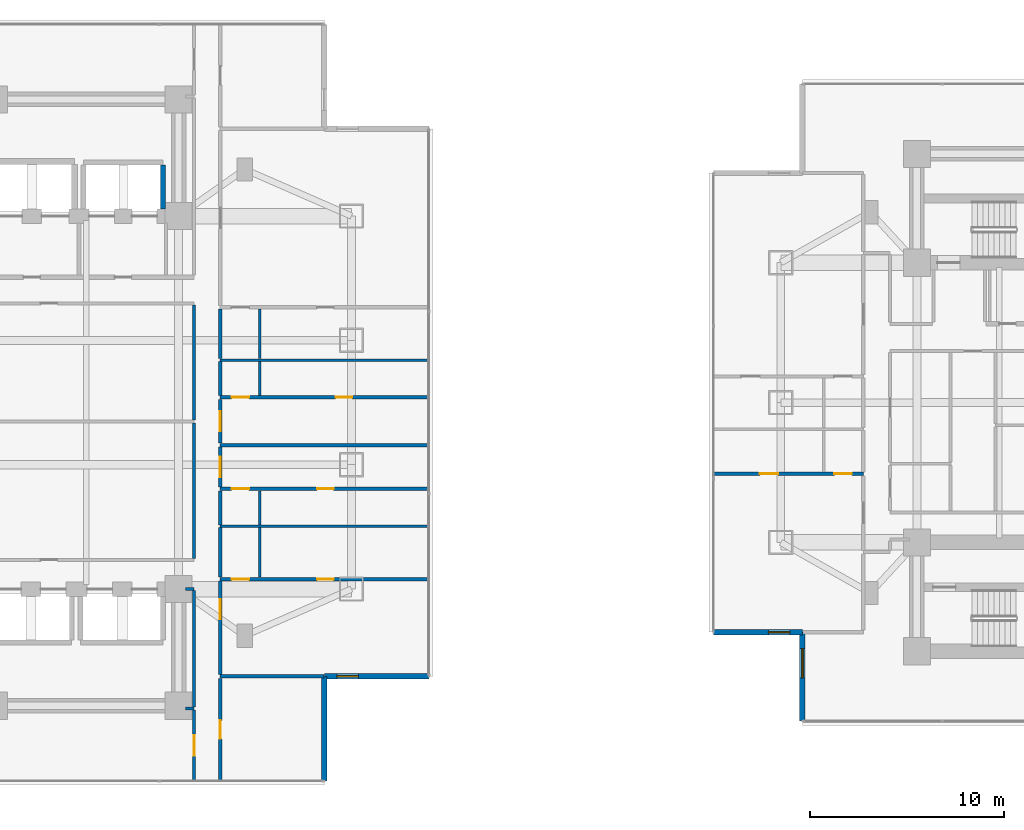
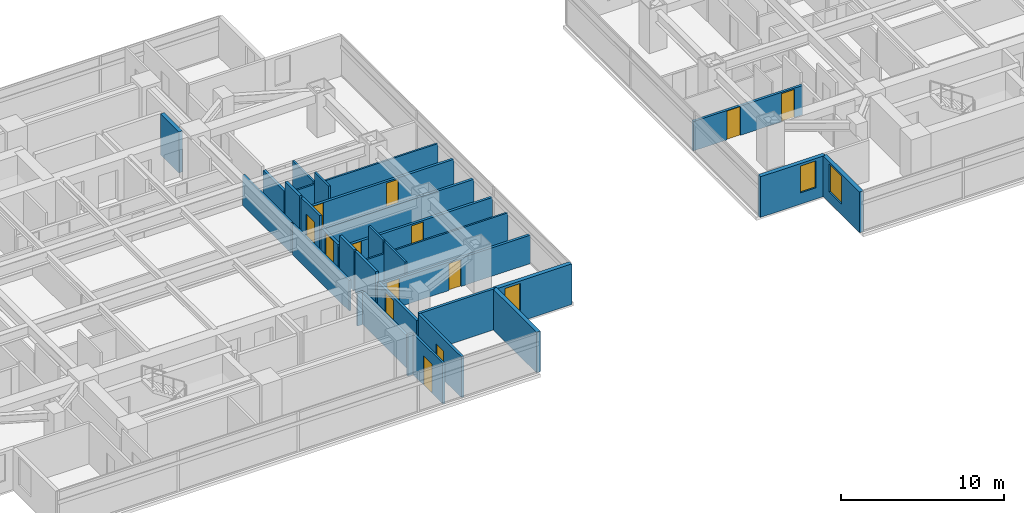
# One storey, part 16 of 26: 31 walls, 13 doors, 3 windows, 16 openings.
"""IFC4 building model written with IfcOpenShell, lengths in metres."""

from ifc_helpers import new_model, si_unit, direction, frame, frame_2d, origin, place, context, subcontext, project, spatial, rectangle, extrude, material, layer, layer_set, type_object, element, fill, save


model = new_model("IFC4")

# Units and contexts
model_context = context("Model", 3, precision=1e-05, world=origin(), true_north=direction((0.0, 1.0)))
body_context = subcontext(model_context, "Body", "Model", "MODEL_VIEW")
ifc_project = project(units=[si_unit("LENGTHUNIT", "METRE"), si_unit("AREAUNIT", "SQUARE_METRE"), si_unit("VOLUMEUNIT", "CUBIC_METRE"), si_unit("PLANEANGLEUNIT", "RADIAN"), si_unit("MASSUNIT", "GRAM", prefix="KILO")], contexts=[model_context])

# Site, building, storey
site_placement = place(None, origin())
site = spatial("IfcSite", under=ifc_project, at=site_placement, CompositionType="ELEMENT")
building_placement = place(site_placement, origin())
building = spatial("IfcBuilding", under=site, at=building_placement, Name="Mirazonda Arch Towers", CompositionType="ELEMENT")
storey_placement = place(building_placement, frame((0.0, 0.0, 38.89990234375)))
storey = spatial("IfcBuildingStorey", under=building, at=storey_placement, Name="L10", CompositionType="ELEMENT", Elevation=38.89990234375)

# Wall, opening, window
ifc_material_1 = material(Name="Precast Concrete C40/50", Category="concrete")
ifc_layer_1 = layer(ifc_material_1, 0.280029296875, Name="WALL-EXT-WALL-280")
ifc_layer_set_1 = layer_set([ifc_layer_1], Name="Precast Concrete C40/50")
wall_type_1 = type_object("IfcWallType", Name="WALL-EXT-WALL-280", PredefinedType="SOLIDWALL", material=ifc_layer_set_1)
wall_1_placement = place(storey_placement, frame((37.5, 13.909912109375, 0.0), z_axis=(0.0, 0.0, 1.0), x_axis=(1.0, 0.0, 0.0)))
wall_1 = element("IfcWall", 1, at=wall_1_placement, inside=storey, type_object=wall_type_1, Name="L10 T1 Corner Notch Return Wall WL-L10-T1-CSE1", PredefinedType="SOLIDWALL", context=body_context, shape_type="SweptSolid", body=[
    extrude(rectangle(XDim=5.3798828125, YDim=0.280029296875, at=frame_2d((2.68994140625, 0.0))), origin(), (0.0, 0.0, 1.0), 3.0400390625),
])
opening_1_placement = place(wall_1_placement, frame((0.64990234375, 0.0, 0.85009765625)))
opening_1 = element("IfcOpeningElement", 2, at=opening_1_placement, cuts=wall_1, Name="Opening WN-108", PredefinedType="OPENING", context=body_context, shape_type="SweptSolid", body=[
    extrude(rectangle(XDim=1.10009765625, YDim=2.0, at=frame_2d((0.550048828125, 1.0))), frame((0.0, 0.14990234375, 0.0), z_axis=(0.0, -1.0, 0.0), x_axis=(1.0, 0.0, 0.0)), (0.0, 0.0, 1.0), 0.300048828125),
])
ifc_material_2 = material(Name="Insulated Low-E Solar Glass", Category="glass")
window_type_1 = type_object("IfcWindowType", Name="WIN-NOTCH-1100x2000", PartitioningType="SINGLE_PANEL", PredefinedType="WINDOW", material=ifc_material_2)
window_1_placement = place(opening_1_placement, origin())
window_1 = element("IfcWindow", 3, at=window_1_placement, inside=storey, type_object=window_type_1, Name="L10 Punched Facade Window WN-L10-T1-CSE1", OverallHeight=2.0, OverallWidth=1.10009765625, PartitioningType="SINGLE_PANEL", PredefinedType="WINDOW", context=body_context, shape_type="SweptSolid", body=[
    extrude(rectangle(XDim=1.10009765625, YDim=2.0, at=frame_2d((0.550048828125, 1.0))), frame((0.0, 0.030029296875, 0.0), z_axis=(0.0, -1.0, 0.0), x_axis=(1.0, 0.0, 0.0)), (0.0, 0.0, 1.0), 0.06005859375),
])
fill(opening_1, window_1)

# Wall
wall_2_placement = place(storey_placement, frame((37.5, 8.530029296875, 0.0), z_axis=(0.0, 0.0, 1.0), x_axis=(0.0, 1.0, 0.0)))
element("IfcWall", 4, at=wall_2_placement, inside=storey, type_object=wall_type_1, Name="L10 T1 Corner Notch Return Wall WL-L10-T1-CSE2", PredefinedType="SOLIDWALL", context=body_context, shape_type="SweptSolid", body=[
    extrude(rectangle(XDim=5.3798828125, YDim=0.280029296875, at=frame_2d((2.68994140625, 0.0))), origin(), (0.0, 0.0, 1.0), 3.0400390625),
])

# Wall, opening, window
wall_3_placement = place(storey_placement, frame((62.110107421875, 16.18359375, 0.0), z_axis=(0.0, 0.0, 1.0), x_axis=(0.0, -1.0, 0.0)))
wall_3 = element("IfcWall", 5, at=wall_3_placement, inside=storey, type_object=wall_type_1, Name="L10 T2 Notched SW Corner Wall WL-L10-T2-CSW", PredefinedType="SOLIDWALL", context=body_context, shape_type="SweptSolid", body=[
    extrude(rectangle(XDim=4.580078125, YDim=0.280029296875, at=frame_2d((2.2900390625, 0.0))), origin(), (0.0, 0.0, 1.0), 3.0400390625),
])
opening_2_placement = place(wall_3_placement, frame((0.85009765625, 0.0, 0.7900390625)))
opening_2 = element("IfcOpeningElement", 6, at=opening_2_placement, cuts=wall_3, Name="Opening WN-120", PredefinedType="OPENING", context=body_context, shape_type="SweptSolid", body=[
    extrude(rectangle(XDim=1.5, YDim=2.10009765625, at=frame_2d((0.75, 1.050048828125))), frame((0.0, 0.14990234375, 0.0), z_axis=(0.0, -1.0, 0.0), x_axis=(1.0, 0.0, 0.0)), (0.0, 0.0, 1.0), 0.300048828125),
])
window_type_2 = type_object("IfcWindowType", Name="WIN-HTL-1500x2100", PartitioningType="SINGLE_PANEL", PredefinedType="WINDOW", material=ifc_material_2)
window_2_placement = place(opening_2_placement, origin())
window_2 = element("IfcWindow", 7, at=window_2_placement, inside=storey, type_object=window_type_2, Name="L10 Punched Facade Window WN-L10-T2-CSW", OverallHeight=2.10009765625, OverallWidth=1.5, PartitioningType="SINGLE_PANEL", PredefinedType="WINDOW", context=body_context, shape_type="SweptSolid", body=[
    extrude(rectangle(XDim=1.5, YDim=2.10009765625, at=frame_2d((0.75, 1.050048828125))), frame((0.0, 0.030029296875, 0.0), z_axis=(0.0, -1.0, 0.0), x_axis=(1.0, 0.0, 0.0)), (0.0, 0.0, 1.0), 0.06005859375),
])
fill(opening_2, window_2)

wall_4_placement = place(storey_placement, frame((57.530029296875, 16.18359375, 0.0), z_axis=(0.0, 0.0, 1.0), x_axis=(1.0, 0.0, 0.0)))
wall_4 = element("IfcWall", 8, at=wall_4_placement, inside=storey, type_object=wall_type_1, Name="L10 T2 Corner Notch Return Wall WL-L10-T2-CSW2", PredefinedType="SOLIDWALL", context=body_context, shape_type="SweptSolid", body=[
    extrude(rectangle(XDim=4.580078125, YDim=0.280029296875, at=frame_2d((2.2900390625, 0.0))), origin(), (0.0, 0.0, 1.0), 3.0400390625),
])
opening_3_placement = place(wall_4_placement, frame((2.830078125, 0.0, 0.85009765625)))
opening_3 = element("IfcOpeningElement", 9, at=opening_3_placement, cuts=wall_4, Name="Opening WN-108", PredefinedType="OPENING", context=body_context, shape_type="SweptSolid", body=[
    extrude(rectangle(XDim=1.10009765625, YDim=2.0, at=frame_2d((0.550048828125, 1.0))), frame((0.0, 0.14990234375, 0.0), z_axis=(0.0, -1.0, 0.0), x_axis=(1.0, 0.0, 0.0)), (0.0, 0.0, 1.0), 0.300048828125),
])
window_3_placement = place(opening_3_placement, origin())
window_3 = element("IfcWindow", 10, at=window_3_placement, inside=storey, type_object=window_type_1, Name="L10 Punched Facade Window WN-L10-T2-CSW2", OverallHeight=2.0, OverallWidth=1.10009765625, PartitioningType="SINGLE_PANEL", PredefinedType="WINDOW", context=body_context, shape_type="SweptSolid", body=[
    extrude(rectangle(XDim=1.10009765625, YDim=2.0, at=frame_2d((0.550048828125, 1.0))), frame((0.0, 0.030029296875, 0.0), z_axis=(0.0, -1.0, 0.0), x_axis=(1.0, 0.0, 0.0)), (0.0, 0.0, 1.0), 0.06005859375),
])
fill(opening_3, window_3)

# Walls
ifc_material_3 = material(Name="Fire-Rated Gypsum Stud Partition")
ifc_layer_2 = layer(ifc_material_3, 0.14990234375, Name="WALL-PART-CORR-150")
ifc_layer_set_2 = layer_set([ifc_layer_2], Name="Fire-Rated Gypsum Stud Partition")
wall_type_2 = type_object("IfcWallType", Name="WALL-PART-CORR-150", PredefinedType="PARTITIONING", material=ifc_layer_set_2)
wall_5_placement = place(storey_placement, frame((30.3701171875, 12.25, 0.0), z_axis=(0.0, 0.0, 1.0), x_axis=(1.0, 0.0, 0.0)))
element("IfcWall", 11, at=wall_5_placement, inside=storey, type_object=wall_type_2, Name="L10 Interior Partition 002", PredefinedType="PARTITIONING", context=body_context, shape_type="SweptSolid", body=[
    extrude(rectangle(XDim=0.429931640625, YDim=0.14990234375, at=frame_2d((0.21484375, 0.0))), origin(), (0.0, 0.0, 1.0), 3.06005859375),
])
wall_6_placement = place(storey_placement, frame((30.3701171875, 18.39990234375, 0.0), z_axis=(0.0, 0.0, 1.0), x_axis=(1.0, 0.0, 0.0)))
element("IfcWall", 12, at=wall_6_placement, inside=storey, type_object=wall_type_2, Name="L10 Interior Partition 013", PredefinedType="PARTITIONING", context=body_context, shape_type="SweptSolid", body=[
    extrude(rectangle(XDim=0.429931640625, YDim=0.14990234375, at=frame_2d((0.21484375, 0.0))), origin(), (0.0, 0.0, 1.0), 2.43603515625),
])

# Wall, opening, door
wall_7_placement = place(storey_placement, frame((30.800048828125, 8.530029296875, 0.0), z_axis=(0.0, 0.0, 1.0), x_axis=(0.0, 1.0, 0.0)))
wall_7 = element("IfcWall", 13, at=wall_7_placement, inside=storey, type_object=wall_type_2, Name="L10 Interior Partition 102", PredefinedType="PARTITIONING", context=body_context, shape_type="SweptSolid", body=[
    extrude(rectangle(XDim=3.635009765625, YDim=0.14990234375, at=frame_2d((1.8173828125, 0.0))), origin(), (0.0, 0.0, 1.0), 3.06005859375),
])
opening_4_placement = place(wall_7_placement, frame((1.29248046875, 0.0, 0.0)))
opening_4 = element("IfcOpeningElement", 14, at=opening_4_placement, cuts=wall_7, Name="Opening DR-121", PredefinedType="OPENING", context=body_context, shape_type="SweptSolid", body=[
    extrude(rectangle(XDim=1.050048828125, YDim=2.199951171875, at=frame_2d((0.52490234375, 1.10009765625))), frame((0.0, 0.0849609375, 0.0), z_axis=(0.0, -1.0, 0.0), x_axis=(1.0, 0.0, 0.0)), (0.0, 0.0, 1.0), 0.169921875),
])
ifc_material_4 = material(Name="Architectural Brushed Steel S355", Category="steel")
door_type_1 = type_object("IfcDoorType", Name="DOOR-SUITE-FD60-1050", OperationType="NOTDEFINED", PredefinedType="DOOR", material=ifc_material_4)
door_1_placement = place(opening_4_placement, origin())
door_1 = element("IfcDoor", 15, at=door_1_placement, inside=storey, type_object=door_type_1, Name="L10 South Horizon Lounge Grand Door", OperationType="SINGLE_SWING_RIGHT", OverallHeight=2.199951171875, OverallWidth=1.050048828125, PredefinedType="DOOR", context=body_context, shape_type="SweptSolid", body=[
    extrude(rectangle(XDim=1.050048828125, YDim=2.199951171875, at=frame_2d((0.52490234375, 1.10009765625))), frame((0.0, 0.02490234375, 0.0), z_axis=(0.0, -1.0, 0.0), x_axis=(1.0, 0.0, 0.0)), (0.0, 0.0, 1.0), 0.050048828125),
])
fill(opening_4, door_1)

# Walls
wall_8_placement = place(storey_placement, frame((30.800048828125, 12.3349609375, 0.0), z_axis=(0.0, 0.0, 1.0), x_axis=(0.0, 1.0, 0.0)))
element("IfcWall", 16, at=wall_8_placement, inside=storey, type_object=wall_type_2, Name="L10 Interior Partition 103", PredefinedType="PARTITIONING", context=body_context, shape_type="SweptSolid", body=[
    extrude(rectangle(XDim=5.97998046875, YDim=0.14990234375, at=frame_2d((2.989990234375, 0.0))), origin(), (0.0, 0.0, 1.0), 2.43603515625),
])
wall_9_placement = place(storey_placement, frame((30.800048828125, 19.985107421875, 0.0), z_axis=(0.0, 0.0, 1.0), x_axis=(0.0, 1.0, 0.0)))
element("IfcWall", 17, at=wall_9_placement, inside=storey, type_object=wall_type_2, Name="L10 Interior Partition 104", PredefinedType="PARTITIONING", context=body_context, shape_type="SweptSolid", body=[
    extrude(rectangle(XDim=6.9580078125, YDim=0.14990234375, at=frame_2d((3.47900390625, 0.0))), origin(), (0.0, 0.0, 1.0), 2.279052734375),
])
wall_10_placement = place(storey_placement, frame((30.800048828125, 27.113037109375, 0.0), z_axis=(0.0, 0.0, 1.0), x_axis=(0.0, 1.0, 0.0)))
element("IfcWall", 18, at=wall_10_placement, inside=storey, type_object=wall_type_2, Name="L10 Interior Partition 105", PredefinedType="PARTITIONING", context=body_context, shape_type="SweptSolid", body=[
    extrude(rectangle(XDim=5.90185546875, YDim=0.14990234375, at=frame_2d((2.950927734375, 0.0))), origin(), (0.0, 0.0, 1.0), 2.279052734375),
])
ifc_material_5 = material(Name="Fire-Rated Gypsum Twin-Stud Assembly")
ifc_layer_3 = layer(ifc_material_5, 0.179931640625, Name="WALL-PART-DEMISE-180")
ifc_layer_set_3 = layer_set([ifc_layer_3], Name="Fire-Rated Gypsum Twin-Stud Assembly")
wall_type_3 = type_object("IfcWallType", Name="WALL-PART-DEMISE-180", PredefinedType="PARTITIONING", material=ifc_layer_set_3)
wall_11_placement = place(storey_placement, frame((32.139892578125, 13.909912109375, 0.0), z_axis=(0.0, 0.0, 1.0), x_axis=(1.0, 0.0, 0.0)))
element("IfcWall", 19, at=wall_11_placement, inside=storey, type_object=wall_type_3, Name="L10 Interior Partition 005", PredefinedType="PARTITIONING", context=body_context, shape_type="SweptSolid", body=[
    extrude(rectangle(XDim=5.340087890625, YDim=0.179931640625, at=frame_2d((2.669921875, 0.0))), origin(), (0.0, 0.0, 1.0), 3.06005859375),
])

# Wall, openings, doors
wall_12_placement = place(storey_placement, frame((32.139892578125, 18.91796875, 0.0), z_axis=(0.0, 0.0, 1.0), x_axis=(1.0, 0.0, 0.0)))
wall_12 = element("IfcWall", 20, at=wall_12_placement, inside=storey, type_object=wall_type_3, Name="L10 Interior Partition 015", PredefinedType="PARTITIONING", context=body_context, shape_type="SweptSolid", body=[
    extrude(rectangle(XDim=10.739990234375, YDim=0.179931640625, at=frame_2d((5.3701171875, 0.0))), origin(), (0.0, 0.0, 1.0), 2.125),
])
opening_5_placement = place(wall_12_placement, frame((4.9951171875, 0.0, 0.0)))
opening_5 = element("IfcOpeningElement", 21, at=opening_5_placement, cuts=wall_12, Name="Opening DR-128", PredefinedType="OPENING", context=body_context, shape_type="SweptSolid", body=[
    extrude(rectangle(XDim=0.85009765625, YDim=2.010009765625, at=frame_2d((0.425048828125, 1.0048828125))), frame((0.0, 0.099853515625, 0.0), z_axis=(0.0, -1.0, 0.0), x_axis=(1.0, 0.0, 0.0)), (0.0, 0.0, 1.0), 0.199951171875),
])
opening_6_placement = place(wall_12_placement, frame((0.590087890625, 0.0, 0.0)))
opening_6 = element("IfcOpeningElement", 22, at=opening_6_placement, cuts=wall_12, Name="Opening DR-120", PredefinedType="OPENING", context=body_context, shape_type="SweptSolid", body=[
    extrude(rectangle(XDim=0.89990234375, YDim=2.10009765625, at=frame_2d((0.449951171875, 1.050048828125))), frame((0.0, 0.099853515625, 0.0), z_axis=(0.0, -1.0, 0.0), x_axis=(1.0, 0.0, 0.0)), (0.0, 0.0, 1.0), 0.199951171875),
])
door_type_2 = type_object("IfcDoorType", Name="DOOR-RISER-FD60-850", OperationType="NOTDEFINED", PredefinedType="DOOR", material=ifc_material_4)
door_2_placement = place(opening_5_placement, origin())
door_2 = element("IfcDoor", 23, at=door_2_placement, inside=storey, type_object=door_type_2, Name="L10 Guestroom Study 1 Door", OperationType="SINGLE_SWING_RIGHT", OverallHeight=2.010009765625, OverallWidth=0.85009765625, PredefinedType="DOOR", context=body_context, shape_type="SweptSolid", body=[
    extrude(rectangle(XDim=0.85009765625, YDim=2.010009765625, at=frame_2d((0.425048828125, 1.0048828125))), frame((0.0, 0.02490234375, 0.0), z_axis=(0.0, -1.0, 0.0), x_axis=(1.0, 0.0, 0.0)), (0.0, 0.0, 1.0), 0.050048828125),
])
fill(opening_5, door_2)
door_type_3 = type_object("IfcDoorType", Name="DOOR-WC-900", OperationType="NOTDEFINED", PredefinedType="DOOR", material=ifc_material_4)
door_3_placement = place(opening_6_placement, origin())
door_3 = element("IfcDoor", 24, at=door_3_placement, inside=storey, type_object=door_type_3, Name="L10 En-Suite Bathroom 1 Door", OperationType="SINGLE_SWING_LEFT", OverallHeight=2.10009765625, OverallWidth=0.89990234375, PredefinedType="DOOR", context=body_context, shape_type="SweptSolid", body=[
    extrude(rectangle(XDim=0.89990234375, YDim=2.10009765625, at=frame_2d((0.449951171875, 1.050048828125))), frame((0.0, 0.02490234375, 0.0), z_axis=(0.0, -1.0, 0.0), x_axis=(1.0, 0.0, 0.0)), (0.0, 0.0, 1.0), 0.050048828125),
])
fill(opening_6, door_3)

wall_13_placement = place(storey_placement, frame((32.139892578125, 23.55810546875, 0.0), z_axis=(0.0, 0.0, 1.0), x_axis=(1.0, 0.0, 0.0)))
wall_13 = element("IfcWall", 25, at=wall_13_placement, inside=storey, type_object=wall_type_3, Name="L10 Interior Partition 026", PredefinedType="PARTITIONING", context=body_context, shape_type="SweptSolid", body=[
    extrude(rectangle(XDim=10.739990234375, YDim=0.179931640625, at=frame_2d((5.3701171875, 0.0))), origin(), (0.0, 0.0, 1.0), 2.125),
])
opening_7_placement = place(wall_13_placement, frame((4.9951171875, 0.0, 0.0)))
opening_7 = element("IfcOpeningElement", 26, at=opening_7_placement, cuts=wall_13, Name="Opening DR-128", PredefinedType="OPENING", context=body_context, shape_type="SweptSolid", body=[
    extrude(rectangle(XDim=0.85009765625, YDim=2.010009765625, at=frame_2d((0.425048828125, 1.0048828125))), frame((0.0, 0.099853515625, 0.0), z_axis=(0.0, -1.0, 0.0), x_axis=(1.0, 0.0, 0.0)), (0.0, 0.0, 1.0), 0.199951171875),
])
opening_8_placement = place(wall_13_placement, frame((0.590087890625, 0.0, 0.0)))
opening_8 = element("IfcOpeningElement", 27, at=opening_8_placement, cuts=wall_13, Name="Opening DR-120", PredefinedType="OPENING", context=body_context, shape_type="SweptSolid", body=[
    extrude(rectangle(XDim=0.89990234375, YDim=2.10009765625, at=frame_2d((0.449951171875, 1.050048828125))), frame((0.0, 0.099853515625, 0.0), z_axis=(0.0, -1.0, 0.0), x_axis=(1.0, 0.0, 0.0)), (0.0, 0.0, 1.0), 0.199951171875),
])
door_4_placement = place(opening_7_placement, origin())
door_4 = element("IfcDoor", 28, at=door_4_placement, inside=storey, type_object=door_type_2, Name="L10 Guestroom Study 2 Door", OperationType="SINGLE_SWING_LEFT", OverallHeight=2.010009765625, OverallWidth=0.85009765625, PredefinedType="DOOR", context=body_context, shape_type="SweptSolid", body=[
    extrude(rectangle(XDim=0.85009765625, YDim=2.010009765625, at=frame_2d((0.425048828125, 1.0048828125))), frame((0.0, 0.02490234375, 0.0), z_axis=(0.0, -1.0, 0.0), x_axis=(1.0, 0.0, 0.0)), (0.0, 0.0, 1.0), 0.050048828125),
])
fill(opening_7, door_4)
door_5_placement = place(opening_8_placement, origin())
door_5 = element("IfcDoor", 29, at=door_5_placement, inside=storey, type_object=door_type_3, Name="L10 En-Suite Bathroom 2 Door", OperationType="SINGLE_SWING_RIGHT", OverallHeight=2.10009765625, OverallWidth=0.89990234375, PredefinedType="DOOR", context=body_context, shape_type="SweptSolid", body=[
    extrude(rectangle(XDim=0.89990234375, YDim=2.10009765625, at=frame_2d((0.449951171875, 1.050048828125))), frame((0.0, 0.02490234375, 0.0), z_axis=(0.0, -1.0, 0.0), x_axis=(1.0, 0.0, 0.0)), (0.0, 0.0, 1.0), 0.050048828125),
])
fill(opening_8, door_5)

wall_14_placement = place(storey_placement, frame((57.530029296875, 24.33203125, 0.0), z_axis=(0.0, 0.0, 1.0), x_axis=(1.0, 0.0, 0.0)))
wall_14 = element("IfcWall", 30, at=wall_14_placement, inside=storey, type_object=wall_type_3, Name="L10 Interior Partition 027", PredefinedType="PARTITIONING", context=body_context, shape_type="SweptSolid", body=[
    extrude(rectangle(XDim=7.719970703125, YDim=0.179931640625, at=frame_2d((3.85986328125, 0.0))), origin(), (0.0, 0.0, 1.0), 2.196044921875),
])
opening_9_placement = place(wall_14_placement, frame((2.385009765625, 0.0, 0.0)))
opening_9 = element("IfcOpeningElement", 31, at=opening_9_placement, cuts=wall_14, Name="Opening DR-104", PredefinedType="OPENING", context=body_context, shape_type="SweptSolid", body=[
    extrude(rectangle(XDim=0.949951171875, YDim=2.14990234375, at=frame_2d((0.47509765625, 1.074951171875))), frame((0.0, 0.099853515625, 0.0), z_axis=(0.0, -1.0, 0.0), x_axis=(1.0, 0.0, 0.0)), (0.0, 0.0, 1.0), 0.199951171875),
])
opening_10_placement = place(wall_14_placement, frame((6.22998046875, 0.0, 0.0)))
opening_10 = element("IfcOpeningElement", 32, at=opening_10_placement, cuts=wall_14, Name="Opening DR-120", PredefinedType="OPENING", context=body_context, shape_type="SweptSolid", body=[
    extrude(rectangle(XDim=0.89990234375, YDim=2.10009765625, at=frame_2d((0.449951171875, 1.050048828125))), frame((0.0, 0.099853515625, 0.0), z_axis=(0.0, -1.0, 0.0), x_axis=(1.0, 0.0, 0.0)), (0.0, 0.0, 1.0), 0.199951171875),
])
door_type_4 = type_object("IfcDoorType", Name="DOOR-ROOM-950", OperationType="NOTDEFINED", PredefinedType="DOOR", material=ifc_material_4)
door_6_placement = place(opening_9_placement, origin())
door_6 = element("IfcDoor", 33, at=door_6_placement, inside=storey, type_object=door_type_4, Name="L10 Suite Bedroom 1 Door", OperationType="SINGLE_SWING_RIGHT", OverallHeight=2.14990234375, OverallWidth=0.949951171875, PredefinedType="DOOR", context=body_context, shape_type="SweptSolid", body=[
    extrude(rectangle(XDim=0.949951171875, YDim=2.14990234375, at=frame_2d((0.47509765625, 1.074951171875))), frame((0.0, 0.02490234375, 0.0), z_axis=(0.0, -1.0, 0.0), x_axis=(1.0, 0.0, 0.0)), (0.0, 0.0, 1.0), 0.050048828125),
])
fill(opening_9, door_6)
door_7_placement = place(opening_10_placement, origin())
door_7 = element("IfcDoor", 34, at=door_7_placement, inside=storey, type_object=door_type_3, Name="L10 Suite En-Suite Bathroom 1 Door", OperationType="SINGLE_SWING_LEFT", OverallHeight=2.10009765625, OverallWidth=0.89990234375, PredefinedType="DOOR", context=body_context, shape_type="SweptSolid", body=[
    extrude(rectangle(XDim=0.89990234375, YDim=2.10009765625, at=frame_2d((0.449951171875, 1.050048828125))), frame((0.0, 0.02490234375, 0.0), z_axis=(0.0, -1.0, 0.0), x_axis=(1.0, 0.0, 0.0)), (0.0, 0.0, 1.0), 0.050048828125),
])
fill(opening_10, door_7)

# Wall
wall_15_placement = place(storey_placement, frame((32.139892578125, 25.81298828125, 0.0), z_axis=(0.0, 0.0, 1.0), x_axis=(1.0, 0.0, 0.0)))
element("IfcWall", 35, at=wall_15_placement, inside=storey, type_object=wall_type_3, Name="L10 Interior Partition 031", PredefinedType="PARTITIONING", context=body_context, shape_type="SweptSolid", body=[
    extrude(rectangle(XDim=10.739990234375, YDim=0.179931640625, at=frame_2d((5.3701171875, 0.0))), origin(), (0.0, 0.0, 1.0), 2.125),
])

# Wall, openings, doors
wall_16_placement = place(storey_placement, frame((32.139892578125, 28.26708984375, 0.0), z_axis=(0.0, 0.0, 1.0), x_axis=(1.0, 0.0, 0.0)))
wall_16 = element("IfcWall", 36, at=wall_16_placement, inside=storey, type_object=wall_type_3, Name="L10 Interior Partition 036", PredefinedType="PARTITIONING", context=body_context, shape_type="SweptSolid", body=[
    extrude(rectangle(XDim=10.739990234375, YDim=0.179931640625, at=frame_2d((5.3701171875, 0.0))), origin(), (0.0, 0.0, 1.0), 2.125),
])
opening_11_placement = place(wall_16_placement, frame((5.945068359375, 0.0, 0.0)))
opening_11 = element("IfcOpeningElement", 37, at=opening_11_placement, cuts=wall_16, Name="Opening DR-128", PredefinedType="OPENING", context=body_context, shape_type="SweptSolid", body=[
    extrude(rectangle(XDim=0.85009765625, YDim=2.010009765625, at=frame_2d((0.425048828125, 1.0048828125))), frame((0.0, 0.099853515625, 0.0), z_axis=(0.0, -1.0, 0.0), x_axis=(1.0, 0.0, 0.0)), (0.0, 0.0, 1.0), 0.199951171875),
])
opening_12_placement = place(wall_16_placement, frame((0.590087890625, 0.0, 0.0)))
opening_12 = element("IfcOpeningElement", 38, at=opening_12_placement, cuts=wall_16, Name="Opening DR-120", PredefinedType="OPENING", context=body_context, shape_type="SweptSolid", body=[
    extrude(rectangle(XDim=0.89990234375, YDim=2.10009765625, at=frame_2d((0.449951171875, 1.050048828125))), frame((0.0, 0.099853515625, 0.0), z_axis=(0.0, -1.0, 0.0), x_axis=(1.0, 0.0, 0.0)), (0.0, 0.0, 1.0), 0.199951171875),
])
door_8_placement = place(opening_11_placement, origin())
door_8 = element("IfcDoor", 39, at=door_8_placement, inside=storey, type_object=door_type_2, Name="L10 Guestroom Study 3 Door", OperationType="SINGLE_SWING_RIGHT", OverallHeight=2.010009765625, OverallWidth=0.85009765625, PredefinedType="DOOR", context=body_context, shape_type="SweptSolid", body=[
    extrude(rectangle(XDim=0.85009765625, YDim=2.010009765625, at=frame_2d((0.425048828125, 1.0048828125))), frame((0.0, 0.02490234375, 0.0), z_axis=(0.0, -1.0, 0.0), x_axis=(1.0, 0.0, 0.0)), (0.0, 0.0, 1.0), 0.050048828125),
])
fill(opening_11, door_8)
door_9_placement = place(opening_12_placement, origin())
door_9 = element("IfcDoor", 40, at=door_9_placement, inside=storey, type_object=door_type_3, Name="L10 En-Suite Bathroom 3 Door", OperationType="SINGLE_SWING_LEFT", OverallHeight=2.10009765625, OverallWidth=0.89990234375, PredefinedType="DOOR", context=body_context, shape_type="SweptSolid", body=[
    extrude(rectangle(XDim=0.89990234375, YDim=2.10009765625, at=frame_2d((0.449951171875, 1.050048828125))), frame((0.0, 0.02490234375, 0.0), z_axis=(0.0, -1.0, 0.0), x_axis=(1.0, 0.0, 0.0)), (0.0, 0.0, 1.0), 0.050048828125),
])
fill(opening_12, door_9)

# Wall, opening, door
wall_17_placement = place(storey_placement, frame((32.139892578125, 8.530029296875, 0.0), z_axis=(0.0, 0.0, 1.0), x_axis=(0.0, 1.0, 0.0)))
wall_17 = element("IfcWall", 41, at=wall_17_placement, inside=storey, type_object=wall_type_3, Name="L10 Interior Partition 108", PredefinedType="PARTITIONING", context=body_context, shape_type="SweptSolid", body=[
    extrude(rectangle(XDim=5.280029296875, YDim=0.179931640625, at=frame_2d((2.64013671875, 0.0))), origin(), (0.0, 0.0, 1.0), 3.06005859375),
])
opening_13_placement = place(wall_17_placement, frame((2.1650390625, 0.0, 0.0)))
opening_13 = element("IfcOpeningElement", 42, at=opening_13_placement, cuts=wall_17, Name="Opening DR-104", PredefinedType="OPENING", context=body_context, shape_type="SweptSolid", body=[
    extrude(rectangle(XDim=0.949951171875, YDim=2.14990234375, at=frame_2d((0.47509765625, 1.074951171875))), frame((0.0, 0.099853515625, 0.0), z_axis=(0.0, -1.0, 0.0), x_axis=(1.0, 0.0, 0.0)), (0.0, 0.0, 1.0), 0.199951171875),
])
door_10_placement = place(opening_13_placement, origin())
door_10 = element("IfcDoor", 43, at=door_10_placement, inside=storey, type_object=door_type_4, Name="L10 South Horizon Lounge Alcove East Door", OperationType="SINGLE_SWING_RIGHT", OverallHeight=2.14990234375, OverallWidth=0.949951171875, PredefinedType="DOOR", context=body_context, shape_type="SweptSolid", body=[
    extrude(rectangle(XDim=0.949951171875, YDim=2.14990234375, at=frame_2d((0.47509765625, 1.074951171875))), frame((0.0, 0.02490234375, 0.0), z_axis=(0.0, -1.0, 0.0), x_axis=(1.0, 0.0, 0.0)), (0.0, 0.0, 1.0), 0.050048828125),
])
fill(opening_13, door_10)

wall_18_placement = place(storey_placement, frame((32.139892578125, 14.010009765625, 0.0), z_axis=(0.0, 0.0, 1.0), x_axis=(0.0, 1.0, 0.0)))
wall_18 = element("IfcWall", 44, at=wall_18_placement, inside=storey, type_object=wall_type_3, Name="L10 Interior Partition 109", PredefinedType="PARTITIONING", context=body_context, shape_type="SweptSolid", body=[
    extrude(rectangle(XDim=4.80810546875, YDim=0.179931640625, at=frame_2d((2.404052734375, 0.0))), origin(), (0.0, 0.0, 1.0), 2.43603515625),
])
opening_14_placement = place(wall_18_placement, frame((2.8291015625, 0.0, 0.0)))
opening_14 = element("IfcOpeningElement", 45, at=opening_14_placement, cuts=wall_18, Name="Opening DR-121", PredefinedType="OPENING", context=body_context, shape_type="SweptSolid", body=[
    extrude(rectangle(XDim=1.050048828125, YDim=2.199951171875, at=frame_2d((0.52490234375, 1.10009765625))), frame((0.0, 0.099853515625, 0.0), z_axis=(0.0, -1.0, 0.0), x_axis=(1.0, 0.0, 0.0)), (0.0, 0.0, 1.0), 0.199951171875),
])
door_11_placement = place(opening_14_placement, origin())
door_11 = element("IfcDoor", 46, at=door_11_placement, inside=storey, type_object=door_type_1, Name="L10 King Hotel Guestroom 1 Door", OperationType="SINGLE_SWING_LEFT", OverallHeight=2.199951171875, OverallWidth=1.050048828125, PredefinedType="DOOR", context=body_context, shape_type="SweptSolid", body=[
    extrude(rectangle(XDim=1.050048828125, YDim=2.199951171875, at=frame_2d((0.52490234375, 1.10009765625))), frame((0.0, 0.02490234375, 0.0), z_axis=(0.0, -1.0, 0.0), x_axis=(1.0, 0.0, 0.0)), (0.0, 0.0, 1.0), 0.050048828125),
])
fill(opening_14, door_11)

# Walls
wall_19_placement = place(storey_placement, frame((32.139892578125, 19.01806640625, 0.0), z_axis=(0.0, 0.0, 1.0), x_axis=(0.0, 1.0, 0.0)))
element("IfcWall", 47, at=wall_19_placement, inside=storey, type_object=wall_type_3, Name="L10 Interior Partition 110", PredefinedType="PARTITIONING", context=body_context, shape_type="SweptSolid", body=[
    extrude(rectangle(XDim=2.54736328125, YDim=0.179931640625, at=frame_2d((1.273681640625, 0.0))), origin(), (0.0, 0.0, 1.0), 3.06005859375),
])
wall_20_placement = place(storey_placement, frame((32.139892578125, 21.71044921875, 0.0), z_axis=(0.0, 0.0, 1.0), x_axis=(0.0, 1.0, 0.0)))
element("IfcWall", 48, at=wall_20_placement, inside=storey, type_object=wall_type_3, Name="L10 Interior Partition 111", PredefinedType="PARTITIONING", context=body_context, shape_type="SweptSolid", body=[
    extrude(rectangle(XDim=1.74755859375, YDim=0.179931640625, at=frame_2d((0.873779296875, 0.0))), origin(), (0.0, 0.0, 1.0), 3.06005859375),
])

# Wall, opening, door
wall_21_placement = place(storey_placement, frame((32.139892578125, 23.657958984375, 0.0), z_axis=(0.0, 0.0, 1.0), x_axis=(0.0, 1.0, 0.0)))
wall_21 = element("IfcWall", 49, at=wall_21_placement, inside=storey, type_object=wall_type_3, Name="L10 Interior Partition 112", PredefinedType="PARTITIONING", context=body_context, shape_type="SweptSolid", body=[
    extrude(rectangle(XDim=2.054931640625, YDim=0.179931640625, at=frame_2d((1.02734375, 0.0))), origin(), (0.0, 0.0, 1.0), 2.279052734375),
])
opening_15_placement = place(wall_21_placement, frame((0.50244140625, 0.0, 0.0)))
opening_15 = element("IfcOpeningElement", 50, at=opening_15_placement, cuts=wall_21, Name="Opening DR-121", PredefinedType="OPENING", context=body_context, shape_type="SweptSolid", body=[
    extrude(rectangle(XDim=1.050048828125, YDim=2.199951171875, at=frame_2d((0.52490234375, 1.10009765625))), frame((0.0, 0.099853515625, 0.0), z_axis=(0.0, -1.0, 0.0), x_axis=(1.0, 0.0, 0.0)), (0.0, 0.0, 1.0), 0.199951171875),
])
door_12_placement = place(opening_15_placement, origin())
door_12 = element("IfcDoor", 51, at=door_12_placement, inside=storey, type_object=door_type_1, Name="L10 Twin Hotel Guestroom 2 Door", OperationType="SINGLE_SWING_RIGHT", OverallHeight=2.199951171875, OverallWidth=1.050048828125, PredefinedType="DOOR", context=body_context, shape_type="SweptSolid", body=[
    extrude(rectangle(XDim=1.050048828125, YDim=2.199951171875, at=frame_2d((0.52490234375, 1.10009765625))), frame((0.0, 0.02490234375, 0.0), z_axis=(0.0, -1.0, 0.0), x_axis=(1.0, 0.0, 0.0)), (0.0, 0.0, 1.0), 0.050048828125),
])
fill(opening_15, door_12)

wall_22_placement = place(storey_placement, frame((32.139892578125, 25.9130859375, 0.0), z_axis=(0.0, 0.0, 1.0), x_axis=(0.0, 1.0, 0.0)))
wall_22 = element("IfcWall", 52, at=wall_22_placement, inside=storey, type_object=wall_type_3, Name="L10 Interior Partition 113", PredefinedType="PARTITIONING", context=body_context, shape_type="SweptSolid", body=[
    extrude(rectangle(XDim=2.25390625, YDim=0.179931640625, at=frame_2d((1.126953125, 0.0))), origin(), (0.0, 0.0, 1.0), 3.06005859375),
])
opening_16_placement = place(wall_22_placement, frame((0.60205078125, 0.0, 0.0)))
opening_16 = element("IfcOpeningElement", 53, at=opening_16_placement, cuts=wall_22, Name="Opening DR-121", PredefinedType="OPENING", context=body_context, shape_type="SweptSolid", body=[
    extrude(rectangle(XDim=1.050048828125, YDim=2.199951171875, at=frame_2d((0.52490234375, 1.10009765625))), frame((0.0, 0.099853515625, 0.0), z_axis=(0.0, -1.0, 0.0), x_axis=(1.0, 0.0, 0.0)), (0.0, 0.0, 1.0), 0.199951171875),
])
door_13_placement = place(opening_16_placement, origin())
door_13 = element("IfcDoor", 54, at=door_13_placement, inside=storey, type_object=door_type_1, Name="L10 King Hotel Guestroom 3 Door", OperationType="SINGLE_SWING_LEFT", OverallHeight=2.199951171875, OverallWidth=1.050048828125, PredefinedType="DOOR", context=body_context, shape_type="SweptSolid", body=[
    extrude(rectangle(XDim=1.050048828125, YDim=2.199951171875, at=frame_2d((0.52490234375, 1.10009765625))), frame((0.0, 0.02490234375, 0.0), z_axis=(0.0, -1.0, 0.0), x_axis=(1.0, 0.0, 0.0)), (0.0, 0.0, 1.0), 0.050048828125),
])
fill(opening_16, door_13)

# Walls
wall_23_placement = place(storey_placement, frame((32.139892578125, 28.366943359375, 0.0), z_axis=(0.0, 0.0, 1.0), x_axis=(0.0, 1.0, 0.0)))
element("IfcWall", 55, at=wall_23_placement, inside=storey, type_object=wall_type_3, Name="L10 Interior Partition 114", PredefinedType="PARTITIONING", context=body_context, shape_type="SweptSolid", body=[
    extrude(rectangle(XDim=1.74755859375, YDim=0.179931640625, at=frame_2d((0.873779296875, 0.0))), origin(), (0.0, 0.0, 1.0), 3.06005859375),
])
wall_24_placement = place(storey_placement, frame((32.139892578125, 30.259521484375, 0.0), z_axis=(0.0, 0.0, 1.0), x_axis=(0.0, 1.0, 0.0)))
element("IfcWall", 56, at=wall_24_placement, inside=storey, type_object=wall_type_3, Name="L10 Interior Partition 115", PredefinedType="PARTITIONING", context=body_context, shape_type="SweptSolid", body=[
    extrude(rectangle(XDim=2.54736328125, YDim=0.179931640625, at=frame_2d((1.273681640625, 0.0))), origin(), (0.0, 0.0, 1.0), 2.279052734375),
])
ifc_material_6 = material(Name="Acoustic Fire-Rated Gypsum Partition")
ifc_layer_4 = layer(ifc_material_6, 0.125, Name="WALL-PART-UNIT-125")
ifc_layer_set_4 = layer_set([ifc_layer_4], Name="Acoustic Fire-Rated Gypsum Partition")
wall_type_4 = type_object("IfcWallType", Name="WALL-PART-UNIT-125", PredefinedType="PARTITIONING", material=ifc_layer_set_4)
for number, where, z_axis, x_axis, name in (
    (57, (32.139892578125, 21.637939453125, 0.0), (0.0, 0.0, 1.0), (1.0, 0.0, 0.0), "L10 Interior Partition 021"),
    (58, (32.139892578125, 30.18701171875, 0.0), (0.0, 0.0, 1.0), (1.0, 0.0, 0.0), "L10 Interior Partition 040"),
):
    element("IfcWall", number, at=place(storey_placement, frame(where, z_axis=z_axis, x_axis=x_axis)), inside=storey, type_object=wall_type_4, Name=name, PredefinedType="PARTITIONING", context=body_context, shape_type="SweptSolid", body=[
        extrude(rectangle(XDim=10.739990234375, YDim=0.125, at=frame_2d((5.3701171875, 0.0))), origin(), (0.0, 0.0, 1.0), 2.125),
    ])
wall_25_placement = place(storey_placement, frame((34.179931640625, 19.01806640625, 0.0), z_axis=(0.0, 0.0, 1.0), x_axis=(0.0, 1.0, 0.0)))
element("IfcWall", 59, at=wall_25_placement, inside=storey, type_object=wall_type_4, Name="L10 Interior Partition 118", PredefinedType="PARTITIONING", context=body_context, shape_type="SweptSolid", body=[
    extrude(rectangle(XDim=2.54736328125, YDim=0.125, at=frame_2d((1.273681640625, 0.0))), origin(), (0.0, 0.0, 1.0), 3.06005859375),
])
for number, where, z_axis, x_axis, name in (
    (60, (34.179931640625, 21.71044921875, 0.0), (0.0, 0.0, 1.0), (0.0, 1.0, 0.0), "L10 Interior Partition 119"),
    (61, (34.179931640625, 28.366943359375, 0.0), (0.0, 0.0, 1.0), (0.0, 1.0, 0.0), "L10 Interior Partition 120"),
):
    element("IfcWall", number, at=place(storey_placement, frame(where, z_axis=z_axis, x_axis=x_axis)), inside=storey, type_object=wall_type_4, Name=name, PredefinedType="PARTITIONING", context=body_context, shape_type="SweptSolid", body=[
        extrude(rectangle(XDim=1.74755859375, YDim=0.125, at=frame_2d((0.873779296875, 0.0))), origin(), (0.0, 0.0, 1.0), 3.06005859375),
    ])
wall_26_placement = place(storey_placement, frame((34.179931640625, 30.259521484375, 0.0), z_axis=(0.0, 0.0, 1.0), x_axis=(0.0, 1.0, 0.0)))
element("IfcWall", 62, at=wall_26_placement, inside=storey, type_object=wall_type_4, Name="L10 Interior Partition 121", PredefinedType="PARTITIONING", context=body_context, shape_type="SweptSolid", body=[
    extrude(rectangle(XDim=2.54736328125, YDim=0.125, at=frame_2d((1.273681640625, 0.0))), origin(), (0.0, 0.0, 1.0), 2.279052734375),
])
ifc_material_7 = material(Name="Concrete C40/50", Category="concrete")
ifc_layer_5 = layer(ifc_material_7, 0.25, Name="WALL-SHAFT-250")
ifc_layer_set_5 = layer_set([ifc_layer_5], Name="Concrete C40/50")
wall_type_5 = type_object("IfcWallType", Name="WALL-SHAFT-250", PredefinedType="SOLIDWALL", material=ifc_layer_set_5)
wall_27_placement = place(storey_placement, frame((29.199951171875, 37.969970703125, 0.0), z_axis=(0.0, 0.0, 1.0), x_axis=(0.0, 1.0, 0.0)))
element("IfcWall", 63, at=wall_27_placement, inside=storey, type_object=wall_type_5, Name="L10 Interior Partition 101", PredefinedType="SOLIDWALL", context=body_context, shape_type="SweptSolid", body=[
    extrude(rectangle(XDim=2.2451171875, YDim=0.25, at=frame_2d((1.12255859375, 0.0))), origin(), (0.0, 0.0, 1.0), 3.06005859375),
])

save(model, "model.ifc")
